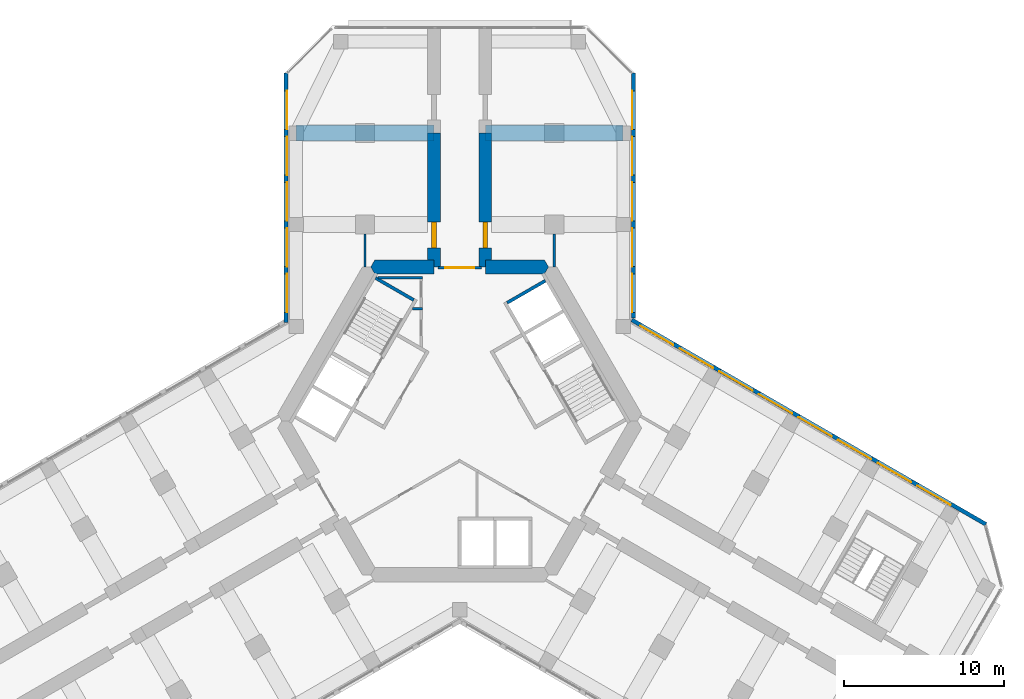
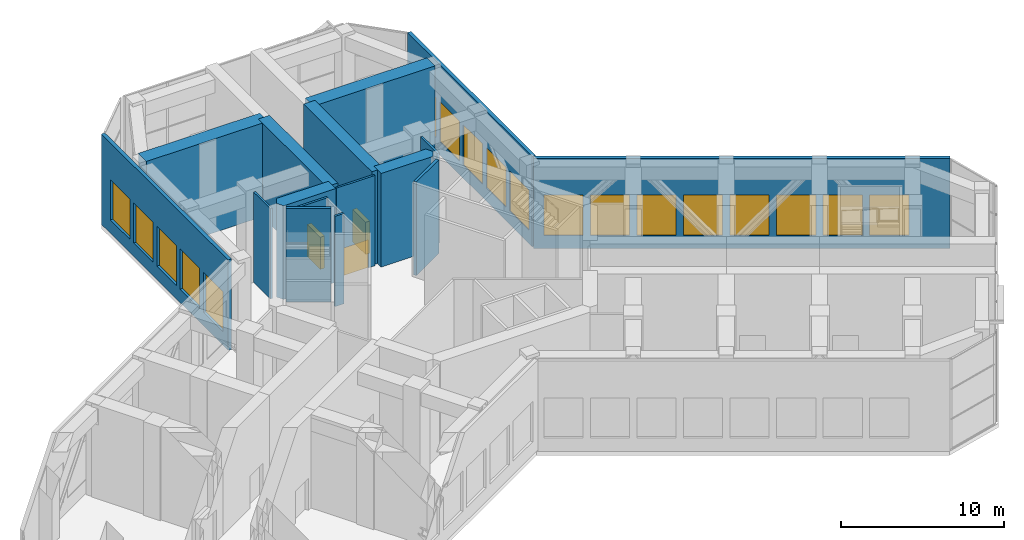
# One storey, part 13 of 15: 18 windows, 16 walls, 3 doors, 21 openings.
"""IFC4 building model written with IfcOpenShell, lengths in metres."""

import ifcopenshell
import ifcopenshell.guid

model = None  # the IFC model being written
_history = None  # IfcOwnerHistory: only IFC2X3 demands one
_inside = {}  # id of a spatial element -> (the spatial element, [elements in it])
_under = {}  # id of a project, library or spatial element -> (it, [spatial elements below it])
_declared = {}  # id of a project -> (the project, [libraries it declares])
_typed = {}  # id of a type object -> (the type object, [elements of that type])
_made_of = {}  # id of a material, layer set ... -> (it, [elements and type objects made of it])


def new_model(schema):
    """Start an empty IFC model of exactly this schema.

    Asked for "IFC4X3", IfcOpenShell would pick the latest addendum, in which some entities
    have other attributes; the version numbers below select the first issue.
    IFC2X3 requires an IfcOwnerHistory on every rooted entity: one is made here for all.
    """
    global model, _history
    if schema == "IFC4X3":
        model = ifcopenshell.file(schema_version=(4, 3, 0, 0))
    else:
        model = ifcopenshell.file(schema=schema)
    _inside.clear()
    _under.clear()
    _declared.clear()
    _typed.clear()
    _made_of.clear()
    _history = None
    if model.schema == "IFC2X3":
        org = make("IfcOrganization", Name="unknown")
        user = make(
            "IfcPersonAndOrganization",
            ThePerson=make("IfcPerson", FamilyName="unknown"),
            TheOrganization=org,
        )
        app = make(
            "IfcApplication",
            ApplicationDeveloper=org,
            Version="unknown",
            ApplicationFullName="unknown",
            ApplicationIdentifier="unknown",
        )
        _history = make(
            "IfcOwnerHistory",
            OwningUser=user,
            OwningApplication=app,
            ChangeAction="ADDED",
            CreationDate=0,
        )
    return model


def make(cls, **values):
    """One entity of the class cls with the attributes given. An attribute that is None is left unset."""
    return model.create_entity(
        cls, **{name: value for name, value in values.items() if value is not None}
    )


def rooted(cls, **values):
    """An entity with a GlobalId (a new one), such as an element, a storey or a relation."""
    return make(cls, GlobalId=ifcopenshell.guid.new(), OwnerHistory=_history, **values)


def si_unit(unit_type, name, prefix=None):
    """IfcSIUnit, for example si_unit("LENGTHUNIT", "METRE", prefix="MILLI")."""
    return make("IfcSIUnit", UnitType=unit_type, Prefix=prefix, Name=name)


def assignment(units):
    """IfcUnitAssignment: the units of a project."""
    return None if units is None else make("IfcUnitAssignment", Units=units)


def point(xyz):
    """IfcCartesianPoint."""
    return None if xyz is None else make("IfcCartesianPoint", Coordinates=xyz)


def direction(xyz):
    """IfcDirection."""
    return None if xyz is None else make("IfcDirection", DirectionRatios=xyz)


def frame(location, z_axis=None, x_axis=None):
    """IfcAxis2Placement3D, a coordinate frame: its origin and axes. An axis left out is left unset."""
    return make(
        "IfcAxis2Placement3D",
        Location=point(location),
        Axis=direction(z_axis),
        RefDirection=direction(x_axis),
    )


def frame_2d(location, x_axis=None):
    """IfcAxis2Placement2D, a coordinate frame in the plane: its origin and x axis."""
    return make(
        "IfcAxis2Placement2D", Location=point(location), RefDirection=direction(x_axis)
    )


def origin():
    """The frame at (0, 0, 0) with its axes left unset."""
    return frame((0.0, 0.0, 0.0))


def place(relative_to, where):
    """IfcLocalPlacement: puts the frame where relative to a parent placement (None: the world)."""
    return make(
        "IfcLocalPlacement", PlacementRelTo=relative_to, RelativePlacement=where
    )


def context(
    kind, dimensions, precision=None, world=None, true_north=None, identifier=None
):
    """IfcGeometricRepresentationContext, for example the 3D "Model" context."""
    return make(
        "IfcGeometricRepresentationContext",
        ContextIdentifier=identifier,
        ContextType=kind,
        CoordinateSpaceDimension=dimensions,
        Precision=precision,
        WorldCoordinateSystem=world,
        TrueNorth=true_north,
    )


def subcontext(parent, identifier, kind, view, scale=None):
    """IfcGeometricRepresentationSubContext, for example "Body" below "Model"."""
    return make(
        "IfcGeometricRepresentationSubContext",
        ContextIdentifier=identifier,
        ContextType=kind,
        ParentContext=parent,
        TargetScale=scale,
        TargetView=view,
    )


def project(units=None, contexts=None):
    """IfcProject with its units and contexts."""
    return rooted(
        "IfcProject",
        Name="project",
        RepresentationContexts=contexts,
        UnitsInContext=assignment(units),
    )


def spatial(cls, under=None, at=None, **own):
    """A site, building, storey or space (cls), placed at a placement, below another one or the project."""
    s = rooted(cls, ObjectPlacement=at, **own)
    if under is not None:
        _under.setdefault(under.id(), (under, []))[1].append(s)
    return s


def polyline(points):
    """IfcPolyline through the points."""
    return make("IfcPolyline", Points=[point(p) for p in points])


def profile(cls, at=None, kind="AREA", **sizes):
    """A parametric profile (cls). Its sizes go by their IFC names, for example OverallWidth=200.0."""
    return make(cls, ProfileType=kind, Position=at, **sizes)


def rectangle(**sizes):
    """IfcRectangleProfileDef."""
    return profile("IfcRectangleProfileDef", **sizes)


def outline(outer, holes=None, kind="AREA"):
    """IfcArbitraryClosedProfileDef: a profile drawn as a closed curve; with holes, ...WithVoids."""
    if holes is None:
        return make("IfcArbitraryClosedProfileDef", ProfileType=kind, OuterCurve=outer)
    return make(
        "IfcArbitraryProfileDefWithVoids",
        ProfileType=kind,
        OuterCurve=outer,
        InnerCurves=holes,
    )


def extrude(swept, where, along, depth):
    """IfcExtrudedAreaSolid: the profile swept, set in the frame where, extruded along a direction by depth."""
    return make(
        "IfcExtrudedAreaSolid",
        SweptArea=swept,
        Position=where,
        ExtrudedDirection=direction(along),
        Depth=depth,
    )


def shape(context_of_items, identifier, shape_type, items):
    """IfcShapeRepresentation: the items that make up one representation, for example the "Body"."""
    return make(
        "IfcShapeRepresentation",
        ContextOfItems=context_of_items,
        RepresentationIdentifier=identifier,
        RepresentationType=shape_type,
        Items=items,
    )


def material(Name=None, Category=None):
    """IfcMaterial."""
    return make("IfcMaterial", Name=Name, Category=Category)


def layer(
    of_material, thickness, ventilated=None, Name=None, Category=None, Priority=None
):
    """IfcMaterialLayer: one layer of a wall or slab, of a material (None: an air gap)."""
    return make(
        "IfcMaterialLayer",
        Material=of_material,
        LayerThickness=thickness,
        IsVentilated=ventilated,
        Name=Name,
        Category=Category,
        Priority=Priority,
    )


def layer_set(layers, Name=None):
    """IfcMaterialLayerSet."""
    return make("IfcMaterialLayerSet", MaterialLayers=layers, LayerSetName=Name)


def made_of(thing, what):
    """Note that an element or type object is made of a material, layer set ...; save() writes the relation."""
    if what is not None:
        _made_of.setdefault(what.id(), (what, []))[1].append(thing)
    return thing


def type_object(cls, material=None, **own):
    """A type object (cls), such as IfcWallType, which elements share."""
    return made_of(rooted(cls, **own), material)


def element(
    cls,
    number,
    at=None,
    inside=None,
    cuts=None,
    type_object=None,
    material=None,
    context=None,
    identifier="Body",
    shape_type=None,
    held_by="IfcProductDefinitionShape",
    body=None,
    shapes=None,
    **own,
):
    """One element of the class cls, such as IfcWall. Its Tag is "e" and its number.

    at: its placement. inside: the storey or other place that contains it. cuts: it is an
    opening in that element (IfcRelVoidsElement). A single representation is given by context,
    identifier, shape_type and body (its items); several are given by shapes. held_by: the class
    of the entity that holds the representations. save() writes the other relations.
    """
    e = rooted(cls, Tag="e%d" % number, ObjectPlacement=at, **own)
    if body is not None:
        shapes = [shape(context, identifier, shape_type, body)]
    if shapes is not None:
        e.Representation = make(held_by, Representations=shapes)
    if inside is not None:
        _inside.setdefault(inside.id(), (inside, []))[1].append(e)
    if cuts is not None:
        rooted(
            "IfcRelVoidsElement", RelatingBuildingElement=cuts, RelatedOpeningElement=e
        )
    if type_object is not None:
        _typed.setdefault(type_object.id(), (type_object, []))[1].append(e)
    return made_of(e, material)


def fill(opening, filler):
    """IfcRelFillsElement: the door or window that sits in an opening."""
    return rooted(
        "IfcRelFillsElement",
        RelatingOpeningElement=opening,
        RelatedBuildingElement=filler,
    )


def aggregate(whole, parts):
    """IfcRelAggregates: a whole, such as a stair, and the parts it consists of."""
    return rooted("IfcRelAggregates", RelatingObject=whole, RelatedObjects=parts)


def save(model, path):
    """Write the relations noted so far, then the file.

    IfcRelAggregates (storeys below a building ...), IfcRelContainedInSpatialStructure (elements
    in a storey), IfcRelDefinesByType, IfcRelAssociatesMaterial and IfcRelDeclares: one each for
    every whole, place, type object, material and project.
    """
    for whole, parts in _under.values():
        aggregate(whole, parts)
    for where, things in _inside.values():
        rooted(
            "IfcRelContainedInSpatialStructure",
            RelatedElements=things,
            RelatingStructure=where,
        )
    for kind, things in _typed.values():
        rooted("IfcRelDefinesByType", RelatedObjects=things, RelatingType=kind)
    for what, things in _made_of.values():
        rooted("IfcRelAssociatesMaterial", RelatedObjects=things, RelatingMaterial=what)
    for by, libraries in _declared.values():
        rooted("IfcRelDeclares", RelatingContext=by, RelatedDefinitions=libraries)
    model.write(path)


model = new_model("IFC4")

# Units and contexts
model_context = context("Model", 3, precision=1e-05, world=origin(), true_north=direction((0.0, 1.0)))
body_context = subcontext(model_context, "Body", "Model", "MODEL_VIEW")
ifc_project = project(units=[si_unit("LENGTHUNIT", "METRE"), si_unit("AREAUNIT", "SQUARE_METRE"), si_unit("VOLUMEUNIT", "CUBIC_METRE"), si_unit("PLANEANGLEUNIT", "RADIAN"), si_unit("MASSUNIT", "GRAM", prefix="KILO")], contexts=[model_context])

# Site, building, storey
site_placement = place(None, origin())
site = spatial("IfcSite", under=ifc_project, at=site_placement, CompositionType="ELEMENT")
building_placement = place(site_placement, origin())
building = spatial("IfcBuilding", under=site, at=building_placement, Name="Kosmar Iwan School Tower", CompositionType="ELEMENT")
storey_placement = place(building_placement, frame((0.0, 0.0, 186.800048828125)))
storey = spatial("IfcBuildingStorey", under=building, at=storey_placement, Name="L47", CompositionType="ELEMENT", Elevation=186.800048828125)

# Walls
ifc_material_1 = material(Name="Gypsum board on steel studs, fire-rated", Category="steel")
ifc_layer_1 = layer(ifc_material_1, 0.14990234375)
ifc_layer_set_1 = layer_set([ifc_layer_1], Name="Core room partition 150")
wall_type_1 = type_object("IfcWallType", Name="Core room partition 150", PredefinedType="PARTITIONING", material=ifc_layer_set_1)
wall_1_placement = place(storey_placement, frame((-2.324951171875, 6.985107421875, 0.0), z_axis=(0.0, 0.0, 1.0), x_axis=(-1.0, 0.0, 0.0)))
element("IfcWall", 1, at=wall_1_placement, inside=storey, type_object=wall_type_1, Name="Core room partition L47-CW2", PredefinedType="PARTITIONING", context=body_context, shape_type="SweptSolid", body=[
    extrude(rectangle(XDim=0.623779296875, YDim=0.14990234375, at=frame_2d((0.31201171875, 0.0))), origin(), (0.0, 0.0, 1.0), 6.75),
])
wall_2_placement = place(storey_placement, frame((-5.089599609375, 8.93994140625, 0.0), z_axis=(0.0, 0.0, 1.0), x_axis=(1.0, 0.0, 0.0)))
element("IfcWall", 2, at=wall_2_placement, inside=storey, type_object=wall_type_1, Name="Core room partition L47-CW3", PredefinedType="PARTITIONING", context=body_context, shape_type="SweptSolid", body=[
    extrude(rectangle(XDim=2.7646484375, YDim=0.14990234375, at=frame_2d((1.38232421875, 0.0))), origin(), (0.0, 0.0, 1.0), 6.75),
])
ifc_material_2 = material(Name="Concrete C50/60", Category="concrete")
ifc_layer_2 = layer(ifc_material_2, 0.89990234375)
ifc_layer_set_2 = layer_set([ifc_layer_2], Name="Core wall 900")
wall_type_2 = type_object("IfcWallType", Name="Core wall 900", PredefinedType="SHEAR", material=ifc_layer_set_2)
wall_3_placement = place(storey_placement, origin())
element("IfcWall", 3, at=wall_3_placement, inside=storey, type_object=wall_type_2, Name="Core wall F090a", PredefinedType="SHEAR", context=body_context, shape_type="SweptSolid", body=[
    extrude(outline(polyline([(1.60009765625, 9.14990234375), (5.28271484375, 9.14990234375), (5.54248046875, 9.60009765625), (5.28271484375, 10.050048828125), (1.60009765625, 10.050048828125), (1.60009765625, 9.14990234375)])), origin(), (0.0, 0.0, 1.0), 7.0),
])
wall_4_placement = place(storey_placement, origin())
element("IfcWall", 4, at=wall_4_placement, inside=storey, type_object=wall_type_2, Name="Core wall F090b", PredefinedType="SHEAR", context=body_context, shape_type="SweptSolid", body=[
    extrude(outline(polyline([(-5.28271484375, 9.14990234375), (-1.60009765625, 9.14990234375), (-1.60009765625, 10.050048828125), (-5.28271484375, 10.050048828125), (-5.54248046875, 9.60009765625), (-5.28271484375, 9.14990234375)])), origin(), (0.0, 0.0, 1.0), 7.0),
])

# Wall, opening, door
ifc_material_3 = material(Name="Concrete C50/60", Category="concrete")
ifc_layer_3 = layer(ifc_material_3, 0.800048828125)
ifc_layer_set_3 = layer_set([ifc_layer_3], Name="Corridor buttress wall 800")
wall_type_3 = type_object("IfcWallType", Name="Corridor buttress wall 800", PredefinedType="SHEAR", material=ifc_layer_set_3)
wall_5_placement = place(storey_placement, frame((-1.60009765625, 9.60009765625, 0.0), z_axis=(0.0, 0.0, 1.0), x_axis=(0.0, 1.0, 0.0)))
wall_5 = element("IfcWall", 5, at=wall_5_placement, inside=storey, type_object=wall_type_3, Name="Corridor wall AL", PredefinedType="SHEAR", context=body_context, shape_type="SweptSolid", body=[
    extrude(rectangle(XDim=8.349853515625, YDim=0.800048828125, at=frame_2d((4.1748046875, 0.0))), origin(), (0.0, 0.0, 1.0), 7.0),
])
opening_1_placement = place(wall_5_placement, frame((1.199951171875, 0.0, 0.0)))
opening_1 = element("IfcOpeningElement", 6, at=opening_1_placement, cuts=wall_5, Name="Opening D5", PredefinedType="OPENING", context=body_context, shape_type="SweptSolid", body=[
    extrude(rectangle(XDim=1.60009765625, YDim=2.39990234375, at=frame_2d((0.800048828125, 1.199951171875))), frame((0.0, 0.412109375, 0.0), z_axis=(0.0, -1.0, 0.0), x_axis=(1.0, 0.0, 0.0)), (0.0, 0.0, 1.0), 0.823974609375),
])
ifc_material_4 = material(Name="Steel fire door", Category="steel")
door_type_1 = type_object("IfcDoorType", Name="Plant room door pair 1600x2400", OperationType="DOUBLE_DOOR_SINGLE_SWING", PredefinedType="DOOR", material=ifc_material_4)
door_1_placement = place(opening_1_placement, origin())
door_1 = element("IfcDoor", 7, at=door_1_placement, inside=storey, type_object=door_type_1, Name="Refuge area door L47-AL1", OperationType="DOUBLE_DOOR_SINGLE_SWING", OverallHeight=2.39990234375, OverallWidth=1.60009765625, PredefinedType="DOOR", context=body_context, shape_type="SweptSolid", body=[
    extrude(rectangle(XDim=1.60009765625, YDim=2.39990234375, at=frame_2d((0.800048828125, 1.199951171875))), frame((0.0, 0.14990234375, 0.0), z_axis=(0.0, -1.0, 0.0), x_axis=(1.0, 0.0, 0.0)), (0.0, 0.0, 1.0), 0.300048828125),
])
fill(opening_1, door_1)

wall_6_placement = place(storey_placement, frame((1.60009765625, 9.60009765625, 0.0), z_axis=(0.0, 0.0, 1.0), x_axis=(0.0, 1.0, 0.0)))
wall_6 = element("IfcWall", 8, at=wall_6_placement, inside=storey, type_object=wall_type_3, Name="Corridor wall AR", PredefinedType="SHEAR", context=body_context, shape_type="SweptSolid", body=[
    extrude(rectangle(XDim=8.349853515625, YDim=0.800048828125, at=frame_2d((4.1748046875, 0.0))), origin(), (0.0, 0.0, 1.0), 7.0),
])
opening_2_placement = place(wall_6_placement, frame((1.199951171875, 0.0, 0.0)))
opening_2 = element("IfcOpeningElement", 9, at=opening_2_placement, cuts=wall_6, Name="Opening D5", PredefinedType="OPENING", context=body_context, shape_type="SweptSolid", body=[
    extrude(rectangle(XDim=1.60009765625, YDim=2.39990234375, at=frame_2d((0.800048828125, 1.199951171875))), frame((0.0, 0.412109375, 0.0), z_axis=(0.0, -1.0, 0.0), x_axis=(1.0, 0.0, 0.0)), (0.0, 0.0, 1.0), 0.823974609375),
])
door_2_placement = place(opening_2_placement, origin())
door_2 = element("IfcDoor", 10, at=door_2_placement, inside=storey, type_object=door_type_1, Name="Refuge area door L47-AR1", OperationType="DOUBLE_DOOR_SINGLE_SWING", OverallHeight=2.39990234375, OverallWidth=1.60009765625, PredefinedType="DOOR", context=body_context, shape_type="SweptSolid", body=[
    extrude(rectangle(XDim=1.60009765625, YDim=2.39990234375, at=frame_2d((0.800048828125, 1.199951171875))), frame((0.0, 0.14990234375, 0.0), z_axis=(0.0, -1.0, 0.0), x_axis=(1.0, 0.0, 0.0)), (0.0, 0.0, 1.0), 0.300048828125),
])
fill(opening_2, door_2)

ifc_material_5 = material(Name="Steel framed glazed screen", Category="steel")
ifc_layer_4 = layer(ifc_material_5, 0.14990234375)
ifc_layer_set_4 = layer_set([ifc_layer_4], Name="Corridor screen wall 150")
wall_type_4 = type_object("IfcWallType", Name="Corridor screen wall 150", PredefinedType="PARTITIONING", material=ifc_layer_set_4)
wall_7_placement = place(storey_placement, frame((1.35009765625, 9.550048828125, 0.0), z_axis=(0.0, 0.0, 1.0), x_axis=(-1.0, 0.0, 0.0)))
wall_7 = element("IfcWall", 11, at=wall_7_placement, inside=storey, type_object=wall_type_4, Name="Corridor screen A L47", PredefinedType="PARTITIONING", context=body_context, shape_type="SweptSolid", body=[
    extrude(rectangle(XDim=2.7001953125, YDim=0.14990234375, at=frame_2d((1.35009765625, 0.0))), origin(), (0.0, 0.0, 1.0), 6.75),
])
opening_3_placement = place(wall_7_placement, frame((0.449951171875, 0.0, 0.0)))
opening_3 = element("IfcOpeningElement", 12, at=opening_3_placement, cuts=wall_7, Name="Opening D9", PredefinedType="OPENING", context=body_context, shape_type="SweptSolid", body=[
    extrude(rectangle(XDim=1.800048828125, YDim=2.10009765625, at=frame_2d((0.89990234375, 1.050048828125))), frame((0.0, 0.0869140625, 0.0), z_axis=(0.0, -1.0, 0.0), x_axis=(1.0, 0.0, 0.0)), (0.0, 0.0, 1.0), 0.173828125),
])
ifc_material_6 = material(Name="Steel framed glazed smoke door", Category="steel")
door_type_2 = type_object("IfcDoorType", Name="Corridor smoke door pair 1800x2100", OperationType="DOUBLE_DOOR_DOUBLE_SWING", PredefinedType="DOOR", material=ifc_material_6)
door_3_placement = place(opening_3_placement, origin())
door_3 = element("IfcDoor", 13, at=door_3_placement, inside=storey, type_object=door_type_2, Name="Corridor doors A L47", OperationType="DOUBLE_DOOR_DOUBLE_SWING", OverallHeight=2.10009765625, OverallWidth=1.800048828125, PredefinedType="DOOR", context=body_context, shape_type="SweptSolid", body=[
    extrude(rectangle(XDim=1.800048828125, YDim=2.10009765625, at=frame_2d((0.89990234375, 1.050048828125))), frame((0.0, 0.02490234375, 0.0), z_axis=(0.0, -1.0, 0.0), x_axis=(1.0, 0.0, 0.0)), (0.0, 0.0, 1.0), 0.050048828125),
])
fill(opening_3, door_3)

# Wall, openings, windows
ifc_material_7 = material(Name="Black aluminium rainscreen on insulated framing", Category="aluminium")
ifc_layer_5 = layer(ifc_material_7, 0.25)
ifc_layer_set_5 = layer_set([ifc_layer_5], Name="External wall rainscreen 250")
wall_type_5 = type_object("IfcWallType", Name="External wall rainscreen 250", PredefinedType="SOLIDWALL", material=ifc_layer_set_5)
wall_8_placement = place(storey_placement, frame((10.73681640625, 6.30078125, 0.0), z_axis=(0.0, 0.0, 1.0), x_axis=(0.866026390279, -0.499998291337, 0.0)))
wall_8 = element("IfcWall", 14, at=wall_8_placement, inside=storey, type_object=wall_type_5, Name="External wall CL L47", PredefinedType="SOLIDWALL", context=body_context, shape_type="SweptSolid", body=[
    extrude(rectangle(XDim=25.4873046875, YDim=0.25, at=frame_2d((12.74365234375, 0.0))), origin(), (0.0, 0.0, 1.0), 6.75),
])
opening_4_placement = place(wall_8_placement, frame((0.626953125, 0.0, 1.0)))
opening_4 = element("IfcOpeningElement", 15, at=opening_4_placement, cuts=wall_8, Name="Opening LV1", PredefinedType="OPENING", context=body_context, shape_type="SweptSolid", body=[
    extrude(rectangle(XDim=2.39990234375, YDim=3.0, at=frame_2d((1.199951171875, 1.5))), frame((0.0, 0.136962890625, 0.0), z_axis=(0.0, -1.0, 0.0), x_axis=(1.0, 0.0, 0.0)), (0.0, 0.0, 1.0), 0.27392578125),
])
opening_5_placement = place(wall_8_placement, frame((3.47705078125, 0.0, 1.0)))
opening_5 = element("IfcOpeningElement", 16, at=opening_5_placement, cuts=wall_8, Name="Opening LV1", PredefinedType="OPENING", context=body_context, shape_type="SweptSolid", body=[
    extrude(rectangle(XDim=2.39990234375, YDim=3.0, at=frame_2d((1.199951171875, 1.5))), frame((0.0, 0.136962890625, 0.0), z_axis=(0.0, -1.0, 0.0), x_axis=(1.0, 0.0, 0.0)), (0.0, 0.0, 1.0), 0.27392578125),
])
opening_6_placement = place(wall_8_placement, frame((6.326904296875, 0.0, 1.0)))
opening_6 = element("IfcOpeningElement", 17, at=opening_6_placement, cuts=wall_8, Name="Opening LV1", PredefinedType="OPENING", context=body_context, shape_type="SweptSolid", body=[
    extrude(rectangle(XDim=2.39990234375, YDim=3.0, at=frame_2d((1.199951171875, 1.5))), frame((0.0, 0.136962890625, 0.0), z_axis=(0.0, -1.0, 0.0), x_axis=(1.0, 0.0, 0.0)), (0.0, 0.0, 1.0), 0.27392578125),
])
opening_7_placement = place(wall_8_placement, frame((9.177001953125, 0.0, 1.0)))
opening_7 = element("IfcOpeningElement", 18, at=opening_7_placement, cuts=wall_8, Name="Opening LV1", PredefinedType="OPENING", context=body_context, shape_type="SweptSolid", body=[
    extrude(rectangle(XDim=2.39990234375, YDim=3.0, at=frame_2d((1.199951171875, 1.5))), frame((0.0, 0.136962890625, 0.0), z_axis=(0.0, -1.0, 0.0), x_axis=(1.0, 0.0, 0.0)), (0.0, 0.0, 1.0), 0.27392578125),
])
opening_8_placement = place(wall_8_placement, frame((12.027099609375, 0.0, 1.0)))
opening_8 = element("IfcOpeningElement", 19, at=opening_8_placement, cuts=wall_8, Name="Opening LV1", PredefinedType="OPENING", context=body_context, shape_type="SweptSolid", body=[
    extrude(rectangle(XDim=2.39990234375, YDim=3.0, at=frame_2d((1.199951171875, 1.5))), frame((0.0, 0.136962890625, 0.0), z_axis=(0.0, -1.0, 0.0), x_axis=(1.0, 0.0, 0.0)), (0.0, 0.0, 1.0), 0.27392578125),
])
opening_9_placement = place(wall_8_placement, frame((14.876953125, 0.0, 1.0)))
opening_9 = element("IfcOpeningElement", 20, at=opening_9_placement, cuts=wall_8, Name="Opening LV1", PredefinedType="OPENING", context=body_context, shape_type="SweptSolid", body=[
    extrude(rectangle(XDim=2.39990234375, YDim=3.0, at=frame_2d((1.199951171875, 1.5))), frame((0.0, 0.136962890625, 0.0), z_axis=(0.0, -1.0, 0.0), x_axis=(1.0, 0.0, 0.0)), (0.0, 0.0, 1.0), 0.27392578125),
])
opening_10_placement = place(wall_8_placement, frame((17.72705078125, 0.0, 1.0)))
opening_10 = element("IfcOpeningElement", 21, at=opening_10_placement, cuts=wall_8, Name="Opening LV1", PredefinedType="OPENING", context=body_context, shape_type="SweptSolid", body=[
    extrude(rectangle(XDim=2.39990234375, YDim=3.0, at=frame_2d((1.199951171875, 1.5))), frame((0.0, 0.136962890625, 0.0), z_axis=(0.0, -1.0, 0.0), x_axis=(1.0, 0.0, 0.0)), (0.0, 0.0, 1.0), 0.27392578125),
])
opening_11_placement = place(wall_8_placement, frame((20.576904296875, 0.0, 1.0)))
opening_11 = element("IfcOpeningElement", 22, at=opening_11_placement, cuts=wall_8, Name="Opening LV1", PredefinedType="OPENING", context=body_context, shape_type="SweptSolid", body=[
    extrude(rectangle(XDim=2.39990234375, YDim=3.0, at=frame_2d((1.199951171875, 1.5))), frame((0.0, 0.136962890625, 0.0), z_axis=(0.0, -1.0, 0.0), x_axis=(1.0, 0.0, 0.0)), (0.0, 0.0, 1.0), 0.27392578125),
])
ifc_material_8 = material(Name="Black aluminium louvre", Category="aluminium")
window_type = type_object("IfcWindowType", Name="Plant louvre 2400x3000", PartitioningType="SINGLE_PANEL", PredefinedType="USERDEFINED", material=ifc_material_8)
window_1_placement = place(opening_4_placement, origin())
window_1 = element("IfcWindow", 23, at=window_1_placement, inside=storey, type_object=window_type, Name="Window CL L47 -1", ObjectType="LOUVRE", OverallHeight=3.0, OverallWidth=2.39990234375, PartitioningType="SINGLE_PANEL", PredefinedType="USERDEFINED", context=body_context, shape_type="SweptSolid", body=[
    extrude(rectangle(XDim=2.39990234375, YDim=3.0, at=frame_2d((1.199951171875, 1.5))), frame((0.0, -0.050048828125, 0.0), z_axis=(0.0, -1.0, 0.0), x_axis=(1.0, 0.0, 0.0)), (0.0, 0.0, 1.0), 0.02001953125),
])
fill(opening_4, window_1)
window_2_placement = place(opening_5_placement, origin())
window_2 = element("IfcWindow", 24, at=window_2_placement, inside=storey, type_object=window_type, Name="Window CL L47 0", ObjectType="LOUVRE", OverallHeight=3.0, OverallWidth=2.39990234375, PartitioningType="SINGLE_PANEL", PredefinedType="USERDEFINED", context=body_context, shape_type="SweptSolid", body=[
    extrude(rectangle(XDim=2.39990234375, YDim=3.0, at=frame_2d((1.199951171875, 1.5))), frame((0.0, -0.050048828125, 0.0), z_axis=(0.0, -1.0, 0.0), x_axis=(1.0, 0.0, 0.0)), (0.0, 0.0, 1.0), 0.02001953125),
])
fill(opening_5, window_2)
window_3_placement = place(opening_6_placement, origin())
window_3 = element("IfcWindow", 25, at=window_3_placement, inside=storey, type_object=window_type, Name="Window CL L47 1", ObjectType="LOUVRE", OverallHeight=3.0, OverallWidth=2.39990234375, PartitioningType="SINGLE_PANEL", PredefinedType="USERDEFINED", context=body_context, shape_type="SweptSolid", body=[
    extrude(rectangle(XDim=2.39990234375, YDim=3.0, at=frame_2d((1.199951171875, 1.5))), frame((0.0, -0.050048828125, 0.0), z_axis=(0.0, -1.0, 0.0), x_axis=(1.0, 0.0, 0.0)), (0.0, 0.0, 1.0), 0.02001953125),
])
fill(opening_6, window_3)
window_4_placement = place(opening_7_placement, origin())
window_4 = element("IfcWindow", 26, at=window_4_placement, inside=storey, type_object=window_type, Name="Window CL L47 2", ObjectType="LOUVRE", OverallHeight=3.0, OverallWidth=2.39990234375, PartitioningType="SINGLE_PANEL", PredefinedType="USERDEFINED", context=body_context, shape_type="SweptSolid", body=[
    extrude(rectangle(XDim=2.39990234375, YDim=3.0, at=frame_2d((1.199951171875, 1.5))), frame((0.0, -0.050048828125, 0.0), z_axis=(0.0, -1.0, 0.0), x_axis=(1.0, 0.0, 0.0)), (0.0, 0.0, 1.0), 0.02001953125),
])
fill(opening_7, window_4)
window_5_placement = place(opening_8_placement, origin())
window_5 = element("IfcWindow", 27, at=window_5_placement, inside=storey, type_object=window_type, Name="Window CL L47 3", ObjectType="LOUVRE", OverallHeight=3.0, OverallWidth=2.39990234375, PartitioningType="SINGLE_PANEL", PredefinedType="USERDEFINED", context=body_context, shape_type="SweptSolid", body=[
    extrude(rectangle(XDim=2.39990234375, YDim=3.0, at=frame_2d((1.199951171875, 1.5))), frame((0.0, -0.050048828125, 0.0), z_axis=(0.0, -1.0, 0.0), x_axis=(1.0, 0.0, 0.0)), (0.0, 0.0, 1.0), 0.02001953125),
])
fill(opening_8, window_5)
window_6_placement = place(opening_9_placement, origin())
window_6 = element("IfcWindow", 28, at=window_6_placement, inside=storey, type_object=window_type, Name="Window CL L47 4", ObjectType="LOUVRE", OverallHeight=3.0, OverallWidth=2.39990234375, PartitioningType="SINGLE_PANEL", PredefinedType="USERDEFINED", context=body_context, shape_type="SweptSolid", body=[
    extrude(rectangle(XDim=2.39990234375, YDim=3.0, at=frame_2d((1.199951171875, 1.5))), frame((0.0, -0.050048828125, 0.0), z_axis=(0.0, -1.0, 0.0), x_axis=(1.0, 0.0, 0.0)), (0.0, 0.0, 1.0), 0.02001953125),
])
fill(opening_9, window_6)
window_7_placement = place(opening_10_placement, origin())
window_7 = element("IfcWindow", 29, at=window_7_placement, inside=storey, type_object=window_type, Name="Window CL L47 5", ObjectType="LOUVRE", OverallHeight=3.0, OverallWidth=2.39990234375, PartitioningType="SINGLE_PANEL", PredefinedType="USERDEFINED", context=body_context, shape_type="SweptSolid", body=[
    extrude(rectangle(XDim=2.39990234375, YDim=3.0, at=frame_2d((1.199951171875, 1.5))), frame((0.0, -0.050048828125, 0.0), z_axis=(0.0, -1.0, 0.0), x_axis=(1.0, 0.0, 0.0)), (0.0, 0.0, 1.0), 0.02001953125),
])
fill(opening_10, window_7)
window_8_placement = place(opening_11_placement, origin())
window_8 = element("IfcWindow", 30, at=window_8_placement, inside=storey, type_object=window_type, Name="Window CL L47 6", ObjectType="LOUVRE", OverallHeight=3.0, OverallWidth=2.39990234375, PartitioningType="SINGLE_PANEL", PredefinedType="USERDEFINED", context=body_context, shape_type="SweptSolid", body=[
    extrude(rectangle(XDim=2.39990234375, YDim=3.0, at=frame_2d((1.199951171875, 1.5))), frame((0.0, -0.050048828125, 0.0), z_axis=(0.0, -1.0, 0.0), x_axis=(1.0, 0.0, 0.0)), (0.0, 0.0, 1.0), 0.02001953125),
])
fill(opening_11, window_8)

wall_9_placement = place(storey_placement, frame((10.824951171875, 6.408935546875, 0.0), z_axis=(0.0, 0.0, 1.0), x_axis=(0.0, 1.0, 0.0)))
wall_9 = element("IfcWall", 31, at=wall_9_placement, inside=storey, type_object=wall_type_5, Name="External wall AR L47", PredefinedType="SOLIDWALL", context=body_context, shape_type="SweptSolid", body=[
    extrude(rectangle(XDim=15.2763671875, YDim=0.25, at=frame_2d((7.63818359375, 0.0))), origin(), (0.0, 0.0, 1.0), 6.75),
])
opening_12_placement = place(wall_9_placement, frame((0.365966796875, 0.0, 1.0)))
opening_12 = element("IfcOpeningElement", 32, at=opening_12_placement, cuts=wall_9, Name="Opening LV1", PredefinedType="OPENING", context=body_context, shape_type="SweptSolid", body=[
    extrude(rectangle(XDim=2.39990234375, YDim=3.0, at=frame_2d((1.199951171875, 1.5))), frame((0.0, 0.136962890625, 0.0), z_axis=(0.0, -1.0, 0.0), x_axis=(1.0, 0.0, 0.0)), (0.0, 0.0, 1.0), 0.27392578125),
])
opening_13_placement = place(wall_9_placement, frame((3.216064453125, 0.0, 1.0)))
opening_13 = element("IfcOpeningElement", 33, at=opening_13_placement, cuts=wall_9, Name="Opening LV1", PredefinedType="OPENING", context=body_context, shape_type="SweptSolid", body=[
    extrude(rectangle(XDim=2.39990234375, YDim=3.0, at=frame_2d((1.199951171875, 1.5))), frame((0.0, 0.136962890625, 0.0), z_axis=(0.0, -1.0, 0.0), x_axis=(1.0, 0.0, 0.0)), (0.0, 0.0, 1.0), 0.27392578125),
])
opening_14_placement = place(wall_9_placement, frame((6.06591796875, 0.0, 1.0)))
opening_14 = element("IfcOpeningElement", 34, at=opening_14_placement, cuts=wall_9, Name="Opening LV1", PredefinedType="OPENING", context=body_context, shape_type="SweptSolid", body=[
    extrude(rectangle(XDim=2.39990234375, YDim=3.0, at=frame_2d((1.199951171875, 1.5))), frame((0.0, 0.136962890625, 0.0), z_axis=(0.0, -1.0, 0.0), x_axis=(1.0, 0.0, 0.0)), (0.0, 0.0, 1.0), 0.27392578125),
])
opening_15_placement = place(wall_9_placement, frame((8.916015625, 0.0, 1.0)))
opening_15 = element("IfcOpeningElement", 35, at=opening_15_placement, cuts=wall_9, Name="Opening LV1", PredefinedType="OPENING", context=body_context, shape_type="SweptSolid", body=[
    extrude(rectangle(XDim=2.39990234375, YDim=3.0, at=frame_2d((1.199951171875, 1.5))), frame((0.0, 0.136962890625, 0.0), z_axis=(0.0, -1.0, 0.0), x_axis=(1.0, 0.0, 0.0)), (0.0, 0.0, 1.0), 0.27392578125),
])
opening_16_placement = place(wall_9_placement, frame((11.76611328125, 0.0, 1.0)))
opening_16 = element("IfcOpeningElement", 36, at=opening_16_placement, cuts=wall_9, Name="Opening LV1", PredefinedType="OPENING", context=body_context, shape_type="SweptSolid", body=[
    extrude(rectangle(XDim=2.39990234375, YDim=3.0, at=frame_2d((1.199951171875, 1.5))), frame((0.0, 0.136962890625, 0.0), z_axis=(0.0, -1.0, 0.0), x_axis=(1.0, 0.0, 0.0)), (0.0, 0.0, 1.0), 0.27392578125),
])
window_9_placement = place(opening_12_placement, origin())
window_9 = element("IfcWindow", 37, at=window_9_placement, inside=storey, type_object=window_type, Name="Window AR L47 -1", ObjectType="LOUVRE", OverallHeight=3.0, OverallWidth=2.39990234375, PartitioningType="SINGLE_PANEL", PredefinedType="USERDEFINED", context=body_context, shape_type="SweptSolid", body=[
    extrude(rectangle(XDim=2.39990234375, YDim=3.0, at=frame_2d((1.199951171875, 1.5))), frame((0.0, 0.070068359375, 0.0), z_axis=(0.0, -1.0, 0.0), x_axis=(1.0, 0.0, 0.0)), (0.0, 0.0, 1.0), 0.02001953125),
])
fill(opening_12, window_9)
window_10_placement = place(opening_13_placement, origin())
window_10 = element("IfcWindow", 38, at=window_10_placement, inside=storey, type_object=window_type, Name="Window AR L47 0", ObjectType="LOUVRE", OverallHeight=3.0, OverallWidth=2.39990234375, PartitioningType="SINGLE_PANEL", PredefinedType="USERDEFINED", context=body_context, shape_type="SweptSolid", body=[
    extrude(rectangle(XDim=2.39990234375, YDim=3.0, at=frame_2d((1.199951171875, 1.5))), frame((0.0, 0.070068359375, 0.0), z_axis=(0.0, -1.0, 0.0), x_axis=(1.0, 0.0, 0.0)), (0.0, 0.0, 1.0), 0.02001953125),
])
fill(opening_13, window_10)
window_11_placement = place(opening_14_placement, origin())
window_11 = element("IfcWindow", 39, at=window_11_placement, inside=storey, type_object=window_type, Name="Window AR L47 1", ObjectType="LOUVRE", OverallHeight=3.0, OverallWidth=2.39990234375, PartitioningType="SINGLE_PANEL", PredefinedType="USERDEFINED", context=body_context, shape_type="SweptSolid", body=[
    extrude(rectangle(XDim=2.39990234375, YDim=3.0, at=frame_2d((1.199951171875, 1.5))), frame((0.0, 0.070068359375, 0.0), z_axis=(0.0, -1.0, 0.0), x_axis=(1.0, 0.0, 0.0)), (0.0, 0.0, 1.0), 0.02001953125),
])
fill(opening_14, window_11)
window_12_placement = place(opening_15_placement, origin())
window_12 = element("IfcWindow", 40, at=window_12_placement, inside=storey, type_object=window_type, Name="Window AR L47 2", ObjectType="LOUVRE", OverallHeight=3.0, OverallWidth=2.39990234375, PartitioningType="SINGLE_PANEL", PredefinedType="USERDEFINED", context=body_context, shape_type="SweptSolid", body=[
    extrude(rectangle(XDim=2.39990234375, YDim=3.0, at=frame_2d((1.199951171875, 1.5))), frame((0.0, 0.070068359375, 0.0), z_axis=(0.0, -1.0, 0.0), x_axis=(1.0, 0.0, 0.0)), (0.0, 0.0, 1.0), 0.02001953125),
])
fill(opening_15, window_12)
window_13_placement = place(opening_16_placement, origin())
window_13 = element("IfcWindow", 41, at=window_13_placement, inside=storey, type_object=window_type, Name="Window AR L47 3", ObjectType="LOUVRE", OverallHeight=3.0, OverallWidth=2.39990234375, PartitioningType="SINGLE_PANEL", PredefinedType="USERDEFINED", context=body_context, shape_type="SweptSolid", body=[
    extrude(rectangle(XDim=2.39990234375, YDim=3.0, at=frame_2d((1.199951171875, 1.5))), frame((0.0, 0.070068359375, 0.0), z_axis=(0.0, -1.0, 0.0), x_axis=(1.0, 0.0, 0.0)), (0.0, 0.0, 1.0), 0.02001953125),
])
fill(opening_16, window_13)

wall_10_placement = place(storey_placement, frame((-10.824951171875, 6.14794921875, 0.0), z_axis=(0.0, 0.0, 1.0), x_axis=(0.0, 1.0, 0.0)))
wall_10 = element("IfcWall", 42, at=wall_10_placement, inside=storey, type_object=wall_type_5, Name="External wall AL L47", PredefinedType="SOLIDWALL", context=body_context, shape_type="SweptSolid", body=[
    extrude(rectangle(XDim=15.537353515625, YDim=0.25, at=frame_2d((7.7685546875, 0.0))), origin(), (0.0, 0.0, 1.0), 6.75),
])
opening_17_placement = place(wall_10_placement, frame((0.626953125, 0.0, 1.0)))
opening_17 = element("IfcOpeningElement", 43, at=opening_17_placement, cuts=wall_10, Name="Opening LV1", PredefinedType="OPENING", context=body_context, shape_type="SweptSolid", body=[
    extrude(rectangle(XDim=2.39990234375, YDim=3.0, at=frame_2d((1.199951171875, 1.5))), frame((0.0, 0.136962890625, 0.0), z_axis=(0.0, -1.0, 0.0), x_axis=(1.0, 0.0, 0.0)), (0.0, 0.0, 1.0), 0.27392578125),
])
opening_18_placement = place(wall_10_placement, frame((3.47705078125, 0.0, 1.0)))
opening_18 = element("IfcOpeningElement", 44, at=opening_18_placement, cuts=wall_10, Name="Opening LV1", PredefinedType="OPENING", context=body_context, shape_type="SweptSolid", body=[
    extrude(rectangle(XDim=2.39990234375, YDim=3.0, at=frame_2d((1.199951171875, 1.5))), frame((0.0, 0.136962890625, 0.0), z_axis=(0.0, -1.0, 0.0), x_axis=(1.0, 0.0, 0.0)), (0.0, 0.0, 1.0), 0.27392578125),
])
opening_19_placement = place(wall_10_placement, frame((6.326904296875, 0.0, 1.0)))
opening_19 = element("IfcOpeningElement", 45, at=opening_19_placement, cuts=wall_10, Name="Opening LV1", PredefinedType="OPENING", context=body_context, shape_type="SweptSolid", body=[
    extrude(rectangle(XDim=2.39990234375, YDim=3.0, at=frame_2d((1.199951171875, 1.5))), frame((0.0, 0.136962890625, 0.0), z_axis=(0.0, -1.0, 0.0), x_axis=(1.0, 0.0, 0.0)), (0.0, 0.0, 1.0), 0.27392578125),
])
opening_20_placement = place(wall_10_placement, frame((9.177001953125, 0.0, 1.0)))
opening_20 = element("IfcOpeningElement", 46, at=opening_20_placement, cuts=wall_10, Name="Opening LV1", PredefinedType="OPENING", context=body_context, shape_type="SweptSolid", body=[
    extrude(rectangle(XDim=2.39990234375, YDim=3.0, at=frame_2d((1.199951171875, 1.5))), frame((0.0, 0.136962890625, 0.0), z_axis=(0.0, -1.0, 0.0), x_axis=(1.0, 0.0, 0.0)), (0.0, 0.0, 1.0), 0.27392578125),
])
opening_21_placement = place(wall_10_placement, frame((12.027099609375, 0.0, 1.0)))
opening_21 = element("IfcOpeningElement", 47, at=opening_21_placement, cuts=wall_10, Name="Opening LV1", PredefinedType="OPENING", context=body_context, shape_type="SweptSolid", body=[
    extrude(rectangle(XDim=2.39990234375, YDim=3.0, at=frame_2d((1.199951171875, 1.5))), frame((0.0, 0.136962890625, 0.0), z_axis=(0.0, -1.0, 0.0), x_axis=(1.0, 0.0, 0.0)), (0.0, 0.0, 1.0), 0.27392578125),
])
window_14_placement = place(opening_17_placement, origin())
window_14 = element("IfcWindow", 48, at=window_14_placement, inside=storey, type_object=window_type, Name="Window AL L47 -1", ObjectType="LOUVRE", OverallHeight=3.0, OverallWidth=2.39990234375, PartitioningType="SINGLE_PANEL", PredefinedType="USERDEFINED", context=body_context, shape_type="SweptSolid", body=[
    extrude(rectangle(XDim=2.39990234375, YDim=3.0, at=frame_2d((1.199951171875, 1.5))), frame((0.0, -0.050048828125, 0.0), z_axis=(0.0, -1.0, 0.0), x_axis=(1.0, 0.0, 0.0)), (0.0, 0.0, 1.0), 0.02001953125),
])
fill(opening_17, window_14)
window_15_placement = place(opening_18_placement, origin())
window_15 = element("IfcWindow", 49, at=window_15_placement, inside=storey, type_object=window_type, Name="Window AL L47 0", ObjectType="LOUVRE", OverallHeight=3.0, OverallWidth=2.39990234375, PartitioningType="SINGLE_PANEL", PredefinedType="USERDEFINED", context=body_context, shape_type="SweptSolid", body=[
    extrude(rectangle(XDim=2.39990234375, YDim=3.0, at=frame_2d((1.199951171875, 1.5))), frame((0.0, -0.050048828125, 0.0), z_axis=(0.0, -1.0, 0.0), x_axis=(1.0, 0.0, 0.0)), (0.0, 0.0, 1.0), 0.02001953125),
])
fill(opening_18, window_15)
window_16_placement = place(opening_19_placement, origin())
window_16 = element("IfcWindow", 50, at=window_16_placement, inside=storey, type_object=window_type, Name="Window AL L47 1", ObjectType="LOUVRE", OverallHeight=3.0, OverallWidth=2.39990234375, PartitioningType="SINGLE_PANEL", PredefinedType="USERDEFINED", context=body_context, shape_type="SweptSolid", body=[
    extrude(rectangle(XDim=2.39990234375, YDim=3.0, at=frame_2d((1.199951171875, 1.5))), frame((0.0, -0.050048828125, 0.0), z_axis=(0.0, -1.0, 0.0), x_axis=(1.0, 0.0, 0.0)), (0.0, 0.0, 1.0), 0.02001953125),
])
fill(opening_19, window_16)
window_17_placement = place(opening_20_placement, origin())
window_17 = element("IfcWindow", 51, at=window_17_placement, inside=storey, type_object=window_type, Name="Window AL L47 2", ObjectType="LOUVRE", OverallHeight=3.0, OverallWidth=2.39990234375, PartitioningType="SINGLE_PANEL", PredefinedType="USERDEFINED", context=body_context, shape_type="SweptSolid", body=[
    extrude(rectangle(XDim=2.39990234375, YDim=3.0, at=frame_2d((1.199951171875, 1.5))), frame((0.0, -0.050048828125, 0.0), z_axis=(0.0, -1.0, 0.0), x_axis=(1.0, 0.0, 0.0)), (0.0, 0.0, 1.0), 0.02001953125),
])
fill(opening_20, window_17)
window_18_placement = place(opening_21_placement, origin())
window_18 = element("IfcWindow", 52, at=window_18_placement, inside=storey, type_object=window_type, Name="Window AL L47 3", ObjectType="LOUVRE", OverallHeight=3.0, OverallWidth=2.39990234375, PartitioningType="SINGLE_PANEL", PredefinedType="USERDEFINED", context=body_context, shape_type="SweptSolid", body=[
    extrude(rectangle(XDim=2.39990234375, YDim=3.0, at=frame_2d((1.199951171875, 1.5))), frame((0.0, -0.050048828125, 0.0), z_axis=(0.0, -1.0, 0.0), x_axis=(1.0, 0.0, 0.0)), (0.0, 0.0, 1.0), 0.02001953125),
])
fill(opening_21, window_18)

# Walls
ifc_material_9 = material(Name="Concrete C50/60", Category="concrete")
ifc_layer_6 = layer(ifc_material_9, 0.199951171875)
ifc_layer_set_6 = layer_set([ifc_layer_6], Name="Lift shaft wall 200")
wall_type_6 = type_object("IfcWallType", Name="Lift shaft wall 200", PredefinedType="SHEAR", material=ifc_layer_set_6)
wall_11_placement = place(storey_placement, frame((2.962646484375, 7.368408203125, 0.0), z_axis=(0.0, 0.0, 1.0), x_axis=(0.866027397988, 0.499996545922, 0.0)))
element("IfcWall", 53, at=wall_11_placement, inside=storey, type_object=wall_type_6, Name="Lift shaft wall AC 2", PredefinedType="SHEAR", context=body_context, shape_type="SweptSolid", body=[
    extrude(rectangle(XDim=2.75, YDim=0.199951171875, at=frame_2d((1.375, 0.0))), origin(), (0.0, 0.0, 1.0), 7.0),
])
ifc_material_10 = material(Name="Concrete C50/60", Category="concrete")
ifc_layer_7 = layer(ifc_material_10, 1.0)
ifc_layer_set_7 = layer_set([ifc_layer_7], Name="Outrigger wall 1000")
wall_type_7 = type_object("IfcWallType", Name="Outrigger wall 1000", PredefinedType="SHEAR", material=ifc_layer_set_7)
for number, where, z_axis, x_axis, name in (
    (54, (-1.60009765625, 17.949951171875, 0.0), (0.0, 0.0, 1.0), (-1.0, 0.0, 0.0), "Outrigger wall AL"),
    (55, (1.60009765625, 17.949951171875, 0.0), (0.0, 0.0, 1.0), (1.0, 0.0, 0.0), "Outrigger wall AR"),
):
    element("IfcWall", number, at=place(storey_placement, frame(where, z_axis=z_axis, x_axis=x_axis)), inside=storey, type_object=wall_type_7, Name=name, PredefinedType="SHEAR", context=body_context, shape_type="SweptSolid", body=[
        extrude(rectangle(XDim=8.599853515625, YDim=1.0, at=frame_2d((4.2998046875, 0.0))), origin(), (0.0, 0.0, 1.0), 7.0),
    ])
ifc_material_11 = material(Name="Gypsum board on steel studs", Category="steel")
ifc_layer_8 = layer(ifc_material_11, 0.14990234375)
ifc_layer_set_8 = layer_set([ifc_layer_8], Name="School partition 150")
wall_type_8 = type_object("IfcWallType", Name="School partition 150", PredefinedType="PARTITIONING", material=ifc_layer_set_8)
for number, where, z_axis, x_axis, name in (
    (56, (-5.89990234375, 9.60009765625, 0.0), (0.0, 0.0, 1.0), (0.0, 1.0, 0.0), "Partition L47-AL-NB"),
    (57, (5.89990234375, 9.60009765625, 0.0), (0.0, 0.0, 1.0), (0.0, 1.0, 0.0), "Partition L47-AR-NB"),
):
    element("IfcWall", number, at=place(storey_placement, frame(where, z_axis=z_axis, x_axis=x_axis)), inside=storey, type_object=wall_type_8, Name=name, PredefinedType="PARTITIONING", context=body_context, shape_type="SweptSolid", body=[
        extrude(rectangle(XDim=2.0498046875, YDim=0.14990234375, at=frame_2d((1.02490234375, 0.0))), origin(), (0.0, 0.0, 1.0), 6.75),
    ])
ifc_material_12 = material(Name="Concrete C50/60", Category="concrete")
ifc_layer_9 = layer(ifc_material_12, 0.199951171875)
ifc_layer_set_9 = layer_set([ifc_layer_9], Name="Stair enclosure wall 200")
wall_type_9 = type_object("IfcWallType", Name="Stair enclosure wall 200", PredefinedType="SHEAR", material=ifc_layer_set_9)
wall_12_placement = place(storey_placement, frame((-2.862548828125, 7.541748046875, 0.0), z_axis=(0.0, 0.0, 1.0), x_axis=(-0.866027397988, 0.499996545922, 0.0)))
element("IfcWall", 58, at=wall_12_placement, inside=storey, type_object=wall_type_9, Name="Stair ST2 wall", PredefinedType="SHEAR", context=body_context, shape_type="SweptSolid", body=[
    extrude(rectangle(XDim=2.75, YDim=0.199951171875, at=frame_2d((1.375, 0.0))), origin(), (0.0, 0.0, 1.0), 7.0),
])

save(model, "model.ifc")
